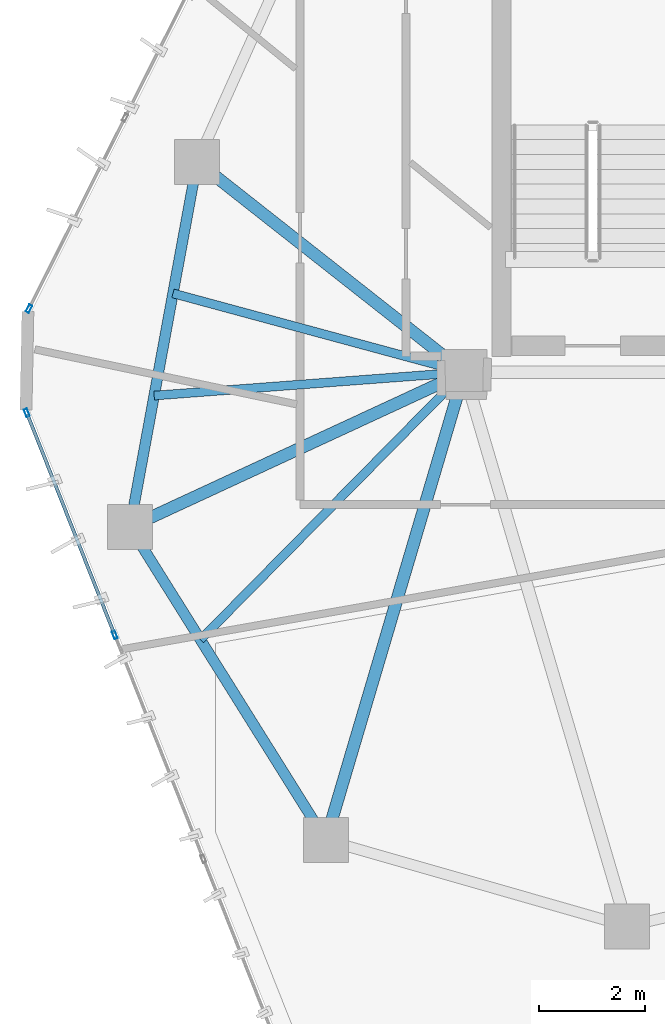
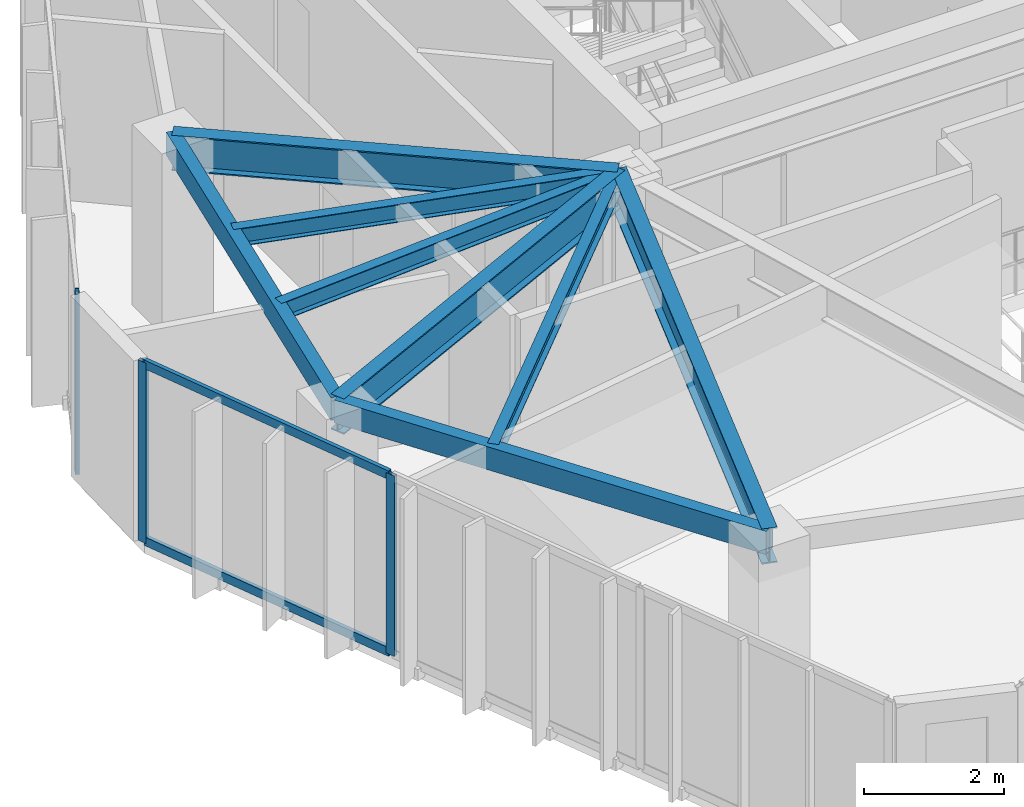
# One storey, part 4 of 20: 8 beams, 5 members, 2 elements without a shape of their own.
"""IFC4 building model written with IfcOpenShell, lengths in metres."""

from ifc_helpers import new_model, si_unit, direction, frame, origin, origin_2d, place, context, subcontext, project, spatial, hollow_rectangle, i_section, extrude, source, transform, mapped, material, layer, layer_set, material_profile, profile_set, type_object, type_shapes, element, aggregate, save


model = new_model("IFC4")

# Units and contexts
model_context = context("Model", 3, precision=1e-05, world=origin(), true_north=direction((0.0, 1.0)))
body_context = subcontext(model_context, "Body", "Model", "MODEL_VIEW")
ifc_project = project(units=[si_unit("LENGTHUNIT", "METRE"), si_unit("AREAUNIT", "SQUARE_METRE"), si_unit("VOLUMEUNIT", "CUBIC_METRE"), si_unit("PLANEANGLEUNIT", "RADIAN"), si_unit("MASSUNIT", "GRAM", prefix="KILO")], contexts=[model_context])

# Site, building, storey
site_placement = place(None, origin())
site = spatial("IfcSite", under=ifc_project, at=site_placement, CompositionType="ELEMENT")
building_placement = place(site_placement, origin())
building = spatial("IfcBuilding", under=site, at=building_placement, Name="Talar Marvaseh", CompositionType="ELEMENT")
storey_placement = place(building_placement, frame((0.0, 0.0, 285.0)))
storey = spatial("IfcBuildingStorey", under=building, at=storey_placement, Name="L76", CompositionType="ELEMENT", Elevation=285.0)

# Beams
ifc_material_1 = material(Name="Steel S355", Category="steel")
ifc_material_profile_1 = material_profile(ifc_material_1, hollow_rectangle(XDim=0.199951171875, YDim=0.39990234375, WallThickness=0.013916015625, at=origin_2d()), Name="RHS400x200x14")
ifc_profile_set_1 = profile_set([ifc_material_profile_1], Name="Steel S355")
beam_type_1 = type_object("IfcBeamType", Name="Zone 3 Perimeter Spandrel Beam RHS400x200x14", PredefinedType="SPANDREL", material=ifc_profile_set_1)
beam_1_placement = place(storey_placement, frame((12.388916015625, 22.576904296875, 2.93994140625), z_axis=(0.18106135948, 0.983471801377, 0.0), x_axis=(-0.983471801377, 0.18106135948, 0.0)))
element("IfcBeam", 1, at=beam_1_placement, inside=storey, type_object=beam_type_1, Name="L76 Zone 3 Perimeter Spandrel Beam RHS400x200x14", PredefinedType="SPANDREL", context=body_context, shape_type="SweptSolid", body=[
    extrude(hollow_rectangle(XDim=0.199951171875, YDim=0.39990234375, WallThickness=0.013916015625, at=origin_2d()), origin(), (0.0, 0.0, 1.0), 7.0087890625),
])
beam_2_placement = place(storey_placement, frame((16.0869140625, 16.66796875, 2.93994140625), z_axis=(-0.530505706813, 0.847681364098, 0.0), x_axis=(-0.847681364098, -0.530505706813, 0.0)))
element("IfcBeam", 2, at=beam_2_placement, inside=storey, type_object=beam_type_1, Name="L76 Zone 3 Perimeter Spandrel Beam RHS400x200x14", PredefinedType="SPANDREL", context=body_context, shape_type="SweptSolid", body=[
    extrude(hollow_rectangle(XDim=0.199951171875, YDim=0.39990234375, WallThickness=0.013916015625, at=origin_2d()), origin(), (0.0, 0.0, 1.0), 6.970703125),
])
ifc_material_profile_2 = material_profile(ifc_material_1, i_section(OverallWidth=0.166015625, OverallDepth=0.31298828125, WebThickness=0.006591796875, FlangeThickness=0.01123046875, at=origin_2d()), Name="W310x45")
ifc_profile_set_2 = profile_set([ifc_material_profile_2], Name="Steel S355")
beam_type_2 = type_object("IfcBeamType", Name="Zone 3 Secondary Floor Joist W310x45", PredefinedType="JOIST", material=ifc_profile_set_2)
beam_3_placement = place(storey_placement, frame((12.845703125, 25.05859375, 2.9833984375), z_axis=(0.997169535009, 0.075185892627, 0.0), x_axis=(-0.075185892627, 0.997169535009, 0.0)))
element("IfcBeam", 3, at=beam_3_placement, inside=storey, type_object=beam_type_2, Name="L76 Zone 3 Secondary Floor Joist W310x45", PredefinedType="JOIST", context=body_context, shape_type="SweptSolid", body=[
    extrude(i_section(OverallWidth=0.166015625, OverallDepth=0.31298828125, WebThickness=0.006591796875, FlangeThickness=0.01123046875, at=origin_2d()), origin(), (0.0, 0.0, 1.0), 5.870849609375),
])
beam_4_placement = place(storey_placement, frame((13.201171875, 26.988525390625, 2.9833984375), z_axis=(0.965258580671, -0.26129652206, 0.0), x_axis=(0.26129652206, 0.965258580671, 0.0)))
element("IfcBeam", 4, at=beam_4_placement, inside=storey, type_object=beam_type_2, Name="L76 Zone 3 Secondary Floor Joist W310x45", PredefinedType="JOIST", context=body_context, shape_type="SweptSolid", body=[
    extrude(i_section(OverallWidth=0.166015625, OverallDepth=0.31298828125, WebThickness=0.006591796875, FlangeThickness=0.01123046875, at=origin_2d()), origin(), (0.0, 0.0, 1.0), 5.69677734375),
])
beam_5_placement = place(storey_placement, frame((13.72021484375, 20.44970703125, 2.9833984375), z_axis=(0.702115238584, 0.712063334085, 0.0), x_axis=(-0.712063334085, 0.702115238584, 0.0)))
element("IfcBeam", 5, at=beam_5_placement, inside=storey, type_object=beam_type_2, Name="L76 Zone 3 Secondary Floor Joist W310x45", PredefinedType="JOIST", context=body_context, shape_type="SweptSolid", body=[
    extrude(i_section(OverallWidth=0.166015625, OverallDepth=0.31298828125, WebThickness=0.006591796875, FlangeThickness=0.01123046875, at=origin_2d()), origin(), (0.0, 0.0, 1.0), 7.092529296875),
])
ifc_material_profile_3 = material_profile(ifc_material_1, i_section(OverallWidth=0.22998046875, OverallDepth=0.616943359375, WebThickness=0.01318359375, FlangeThickness=0.022216796875, at=origin_2d()), Name="W610x140")
ifc_profile_set_3 = profile_set([ifc_material_profile_3], Name="Steel S355")
beam_type_3 = type_object("IfcBeamType", Name="Zone 4 Radial Floor Girder W610x140", PredefinedType="BEAM", material=ifc_profile_set_3)
beam_6_placement = place(storey_placement, frame((12.388916015625, 22.576904296875, 2.83154296875), z_axis=(0.907394527995, 0.420279871709, 0.0), x_axis=(-0.420279871709, 0.907394527995, 0.0)))
element("IfcBeam", 6, at=beam_6_placement, inside=storey, type_object=beam_type_3, Name="L76 Zone 4 Radial Floor Girder W610x140", PredefinedType="BEAM", context=body_context, shape_type="SweptSolid", body=[
    extrude(i_section(OverallWidth=0.22998046875, OverallDepth=0.616943359375, WebThickness=0.01318359375, FlangeThickness=0.022216796875, at=origin_2d()), origin(), (0.0, 0.0, 1.0), 6.955078125),
])
beam_7_placement = place(storey_placement, frame((13.657958984375, 29.469970703125, 2.83154296875), z_axis=(0.785681617372, -0.618631066245, 0.0), x_axis=(0.618631066245, 0.785681617372, 0.0)))
element("IfcBeam", 7, at=beam_7_placement, inside=storey, type_object=beam_type_3, Name="L76 Zone 4 Radial Floor Girder W610x140", PredefinedType="BEAM", context=body_context, shape_type="SweptSolid", body=[
    extrude(i_section(OverallWidth=0.22998046875, OverallDepth=0.616943359375, WebThickness=0.01318359375, FlangeThickness=0.022216796875, at=origin_2d()), origin(), (0.0, 0.0, 1.0), 6.417236328125),
])
beam_8_placement = place(storey_placement, frame((16.0869140625, 16.66796875, 2.83154296875), z_axis=(0.283702937759, 0.958912218666, 0.0), x_axis=(-0.958912218666, 0.283702937759, 0.0)))
element("IfcBeam", 8, at=beam_8_placement, inside=storey, type_object=beam_type_3, Name="L76 Zone 4 Radial Floor Girder W610x140", PredefinedType="BEAM", context=body_context, shape_type="SweptSolid", body=[
    extrude(i_section(OverallWidth=0.22998046875, OverallDepth=0.616943359375, WebThickness=0.01318359375, FlangeThickness=0.022216796875, at=origin_2d()), origin(), (0.0, 0.0, 1.0), 9.21044921875),
])

# Curtain wall, members
ifc_material_2 = material(Name="Architectural Aluminium", Category="aluminium")
ifc_layer = layer(ifc_material_2, 0.179931640625)
ifc_layer_set = layer_set([ifc_layer], Name="Architectural Aluminium")
curtain_wall_type = type_object("IfcCurtainWallType", Name="Unitised High-Wind Sky Curtain Wall Z4", PredefinedType="NOTDEFINED", material=ifc_layer_set)
curtain_wall_1_placement = place(storey_placement, origin())
curtain_wall_1 = element("IfcCurtainWall", 9, at=curtain_wall_1_placement, inside=storey, type_object=curtain_wall_type, Name="L76 Unitised High-Wind Sky Curtain Wall Z4", PredefinedType="NOTDEFINED")
ifc_material_profile_4 = material_profile(ifc_material_2, hollow_rectangle(XDim=0.06494140625, YDim=0.14990234375, WallThickness=0.00390625, at=origin_2d()), Name="RHS150x65x4")
ifc_profile_set_4 = profile_set([ifc_material_profile_4], Name="Architectural Aluminium")
member_type_1 = type_object("IfcMemberType", Name="Unitised Curtain Wall Slim Mullion RHS150x65x4", PredefinedType="MULLION", material=ifc_profile_set_4)
shared_shape_1 = source(origin(), body_context, "Body", "SweptSolid", [
    extrude(hollow_rectangle(XDim=0.06494140625, YDim=0.14990234375, WallThickness=0.00390625, at=origin_2d()), origin(), (0.0, 0.0, 1.0), 3.139892578125),
])
type_shapes(member_type_1, [shared_shape_1])
member_1_placement = place(storey_placement, frame((12.102783203125, 20.538818359375, 0.0), z_axis=(0.0, 0.0, 1.0), x_axis=(-0.929802011572, -0.368060075635, 0.0)))
member_1 = element("IfcMember", 10, at=member_1_placement, type_object=member_type_1, Name="CW-Z4 mullion 3", PredefinedType="MULLION", context=body_context, shape_type="MappedRepresentation", body=[
    mapped(shared_shape_1, transform((0.0, 0.0, 0.0), x_axis=(1.0, 0.0, 0.0), y_axis=(0.0, 1.0, 0.0), z_axis=(0.0, 0.0, 1.0), scale=1.0)),
])
member_2_placement = place(storey_placement, frame((10.44189453125, 24.734375, 0.0), z_axis=(0.0, 0.0, 1.0), x_axis=(-0.929802011572, -0.368060075635, 0.0)))
member_2 = element("IfcMember", 11, at=member_2_placement, type_object=member_type_1, Name="CW-Z4 mullion 4", PredefinedType="MULLION", context=body_context, shape_type="MappedRepresentation", body=[
    mapped(shared_shape_1, transform((0.0, 0.0, 0.0), x_axis=(1.0, 0.0, 0.0), y_axis=(0.0, 1.0, 0.0), z_axis=(0.0, 0.0, 1.0), scale=1.0)),
])

# Curtain wall, member
curtain_wall_2_placement = place(storey_placement, origin())
curtain_wall_2 = element("IfcCurtainWall", 12, at=curtain_wall_2_placement, inside=storey, type_object=curtain_wall_type, Name="L76 Unitised High-Wind Sky Curtain Wall Z4", PredefinedType="NOTDEFINED")
member_3_placement = place(storey_placement, frame((10.483154296875, 26.69873046875, 0.0), z_axis=(0.0, 0.0, 1.0), x_axis=(-0.893514304781, 0.449034728226, 0.0)))
member_3 = element("IfcMember", 13, at=member_3_placement, type_object=member_type_1, Name="CW-Z4 mullion 1", PredefinedType="MULLION", context=body_context, shape_type="MappedRepresentation", body=[
    mapped(shared_shape_1, transform((0.0, 0.0, 0.0), x_axis=(1.0, 0.0, 0.0), y_axis=(0.0, 1.0, 0.0), z_axis=(0.0, 0.0, 1.0), scale=1.0)),
])
aggregate(curtain_wall_2, [member_3])

# Member
ifc_material_profile_5 = material_profile(ifc_material_2, hollow_rectangle(XDim=0.06494140625, YDim=0.14990234375, WallThickness=0.00390625, at=origin_2d()), Name="RHS150x65x4")
ifc_profile_set_5 = profile_set([ifc_material_profile_5], Name="Architectural Aluminium")
member_type_2 = type_object("IfcMemberType", Name="Unitised Curtain Wall Slim Transom RHS150x65x4", PredefinedType="USERDEFINED", material=ifc_profile_set_5)
shared_shape_2 = source(origin(), body_context, "Body", "SweptSolid", [
    extrude(hollow_rectangle(XDim=0.06494140625, YDim=0.14990234375, WallThickness=0.00390625, at=origin_2d()), origin(), (0.0, 0.0, 1.0), 4.447509765625),
])
type_shapes(member_type_2, [shared_shape_2])
member_4_placement = place(storey_placement, frame((12.0908203125, 20.569091796875, 0.032470703125), z_axis=(-0.368066247815, 0.929799568305, 0.0), x_axis=(-0.929799568305, -0.368066247815, 0.0)))
member_4 = element("IfcMember", 14, at=member_4_placement, type_object=member_type_2, Name="CW-Z4 transom 3.1", ObjectType="TRANSOM", PredefinedType="USERDEFINED", context=body_context, shape_type="MappedRepresentation", body=[
    mapped(shared_shape_2, transform((0.0, 0.0, 0.0), x_axis=(1.0, 0.0, 0.0), y_axis=(0.0, 1.0, 0.0), z_axis=(0.0, 0.0, 1.0), scale=1.0)),
])

member_5_placement = place(storey_placement, frame((12.0908203125, 20.569091796875, 3.107421875), z_axis=(-0.368066247815, 0.929799568305, 0.0), x_axis=(-0.929799568305, -0.368066247815, 0.0)))
member_5 = element("IfcMember", 15, at=member_5_placement, type_object=member_type_2, Name="CW-Z4 transom 3.2", ObjectType="TRANSOM", PredefinedType="USERDEFINED", context=body_context, shape_type="MappedRepresentation", body=[
    mapped(shared_shape_2, transform((0.0, 0.0, 0.0), x_axis=(1.0, 0.0, 0.0), y_axis=(0.0, 1.0, 0.0), z_axis=(0.0, 0.0, 1.0), scale=1.0)),
])

aggregate(curtain_wall_1, [member_1, member_2, member_4, member_5])

save(model, "model.ifc")
